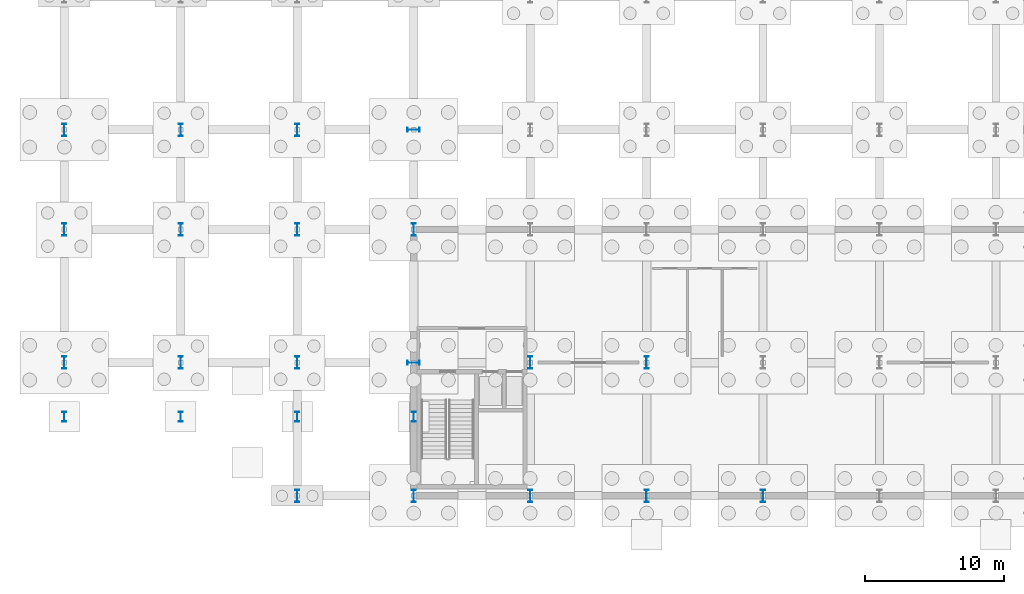
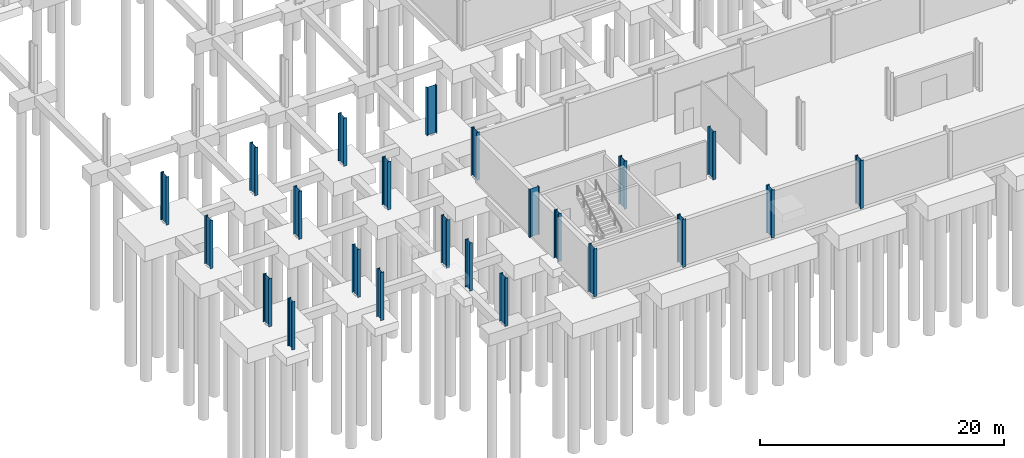
# One storey, part 7 of 29: 23 columns.
"""IFC4 building model written with IfcOpenShell, lengths in metres."""

from ifc_helpers import new_model, si_unit, direction, frame, origin, origin_2d, place, context, subcontext, project, spatial, i_section, extrude, material, material_profile, profile_set, type_object, element, save


model = new_model("IFC4")

# Units and contexts
model_context = context("Model", 3, precision=1e-05, world=origin(), true_north=direction((0.0, 1.0)))
body_context = subcontext(model_context, "Body", "Model", "MODEL_VIEW")
ifc_project = project(units=[si_unit("LENGTHUNIT", "METRE"), si_unit("AREAUNIT", "SQUARE_METRE"), si_unit("VOLUMEUNIT", "CUBIC_METRE"), si_unit("PLANEANGLEUNIT", "RADIAN"), si_unit("MASSUNIT", "GRAM", prefix="KILO")], contexts=[model_context])

# Site, building, storey
site_placement = place(None, origin())
site = spatial("IfcSite", under=ifc_project, at=site_placement, CompositionType="ELEMENT")
building_placement = place(site_placement, origin())
building = spatial("IfcBuilding", under=site, at=building_placement, Name="Veltarok Museum of Natural Sciences", CompositionType="ELEMENT")
storey_placement = place(building_placement, frame((0.0, 0.0, -4.800048828125)))
storey = spatial("IfcBuildingStorey", under=building, at=storey_placement, Name="B1", CompositionType="ELEMENT", Elevation=-4.800048828125)

# Columns
ifc_material = material(Name="Steel S355J2", Category="steel")
ifc_material_profile_1 = material_profile(ifc_material, i_section(OverallWidth=0.300048828125, OverallDepth=0.89990234375, WebThickness=0.0185546875, FlangeThickness=0.034912109375, FilletRadius=0.030029296875, at=origin_2d()), Name="HEB 900")
ifc_profile_set_1 = profile_set([ifc_material_profile_1], Name="Steel S355J2")
column_type_1 = type_object("IfcColumnType", Name="Heavy Hall Column HEB 900", PredefinedType="COLUMN", material=ifc_profile_set_1)
for number, where, z_axis, x_axis, name in (
    (1, (6.39990234375, 9.60009765625, 0.0), (0.0, 0.0, 1.0), (1.0, 0.0, 0.0), "Column COL-S01 B1 1/B"),
    (2, (6.39990234375, 19.199951171875, 0.0), (0.0, 0.0, 1.0), (1.0, 0.0, 0.0), "Column COL-S01 B1 1/C"),
    (3, (6.39990234375, 26.39990234375, 0.0), (0.0, 0.0, 1.0), (1.0, 0.0, 0.0), "Column COL-S01 B1 1/D"),
    (4, (14.800048828125, 9.60009765625, 0.0), (0.0, 0.0, 1.0), (1.0, 0.0, 0.0), "Column COL-S01 B1 2/B"),
    (5, (14.800048828125, 19.199951171875, 0.0), (0.0, 0.0, 1.0), (1.0, 0.0, 0.0), "Column COL-S01 B1 2/C"),
    (6, (14.800048828125, 26.39990234375, 0.0), (0.0, 0.0, 1.0), (1.0, 0.0, 0.0), "Column COL-S01 B1 2/D"),
    (7, (23.199951171875, 0.0, 0.0), (0.0, 0.0, 1.0), (1.0, 0.0, 0.0), "Column COL-S01 B1 3/A"),
    (8, (23.199951171875, 9.60009765625, 0.0), (0.0, 0.0, 1.0), (1.0, 0.0, 0.0), "Column COL-S01 B1 3/B"),
    (9, (23.199951171875, 19.199951171875, 0.0), (0.0, 0.0, 1.0), (1.0, 0.0, 0.0), "Column COL-S01 B1 3/C"),
    (10, (23.199951171875, 26.39990234375, 0.0), (0.0, 0.0, 1.0), (1.0, 0.0, 0.0), "Column COL-S01 B1 3/D"),
    (11, (31.60009765625, 0.0, 0.0), (0.0, 0.0, 1.0), (1.0, 0.0, 0.0), "Column COL-S01 B1 4/A"),
    (12, (31.60009765625, 9.60009765625, 0.0), (0.0, 0.0, 1.0), (0.0, 1.0, 0.0), "Column COL-S01 B1 4/B"),
    (13, (31.60009765625, 19.199951171875, 0.0), (0.0, 0.0, 1.0), (1.0, 0.0, 0.0), "Column COL-S01 B1 4/C"),
    (14, (31.60009765625, 26.39990234375, 0.0), (0.0, 0.0, 1.0), (0.0, 1.0, 0.0), "Column COL-S01 B1 4/D"),
    (15, (40.0, 0.0, 0.0), (0.0, 0.0, 1.0), (1.0, 0.0, 0.0), "Column COL-S01 B1 5/A"),
    (16, (40.0, 9.60009765625, 0.0), (0.0, 0.0, 1.0), (1.0, 0.0, 0.0), "Column COL-S01 B1 5/B"),
    (17, (48.39990234375, 0.0, 0.0), (0.0, 0.0, 1.0), (1.0, 0.0, 0.0), "Column COL-S01 B1 6/A"),
    (18, (48.39990234375, 9.60009765625, 0.0), (0.0, 0.0, 1.0), (1.0, 0.0, 0.0), "Column COL-S01 B1 6/B"),
    (19, (56.800048828125, 0.0, 0.0), (0.0, 0.0, 1.0), (1.0, 0.0, 0.0), "Column COL-S01 B1 7/A"),
):
    element("IfcColumn", number, at=place(storey_placement, frame(where, z_axis=z_axis, x_axis=x_axis)), inside=storey, type_object=column_type_1, Name=name, PredefinedType="COLUMN", context=body_context, shape_type="SweptSolid", body=[
        extrude(i_section(OverallWidth=0.300048828125, OverallDepth=0.89990234375, WebThickness=0.0185546875, FlangeThickness=0.034912109375, FilletRadius=0.030029296875, at=origin_2d()), origin(), (0.0, 0.0, 1.0), 4.800048828125),
    ])
ifc_material_profile_2 = material_profile(ifc_material, i_section(OverallWidth=0.300048828125, OverallDepth=0.699951171875, WebThickness=0.01708984375, FlangeThickness=0.031982421875, FilletRadius=0.027099609375, at=origin_2d()), Name="HEB 700")
ifc_profile_set_2 = profile_set([ifc_material_profile_2], Name="Steel S355J2")
column_type_2 = type_object("IfcColumnType", Name="Perimeter Steel Column HEB 700", PredefinedType="COLUMN", material=ifc_profile_set_2)
for number, where, z_axis, x_axis, name in (
    (20, (6.39990234375, 5.699951171875, 0.0), (0.0, 0.0, 1.0), (1.0, 0.0, 0.0), "Bridge South Pier B1 1"),
    (21, (14.800048828125, 5.699951171875, 0.0), (0.0, 0.0, 1.0), (1.0, 0.0, 0.0), "Bridge South Pier B1 2"),
    (22, (23.199951171875, 5.699951171875, 0.0), (0.0, 0.0, 1.0), (1.0, 0.0, 0.0), "Bridge South Pier B1 3"),
    (23, (31.60009765625, 5.699951171875, 0.0), (0.0, 0.0, 1.0), (1.0, 0.0, 0.0), "Bridge South Pier B1 4"),
):
    element("IfcColumn", number, at=place(storey_placement, frame(where, z_axis=z_axis, x_axis=x_axis)), inside=storey, type_object=column_type_2, Name=name, PredefinedType="COLUMN", context=body_context, shape_type="SweptSolid", body=[
        extrude(i_section(OverallWidth=0.300048828125, OverallDepth=0.699951171875, WebThickness=0.01708984375, FlangeThickness=0.031982421875, FilletRadius=0.027099609375, at=origin_2d()), origin(), (0.0, 0.0, 1.0), 4.800048828125),
    ])

save(model, "model.ifc")
